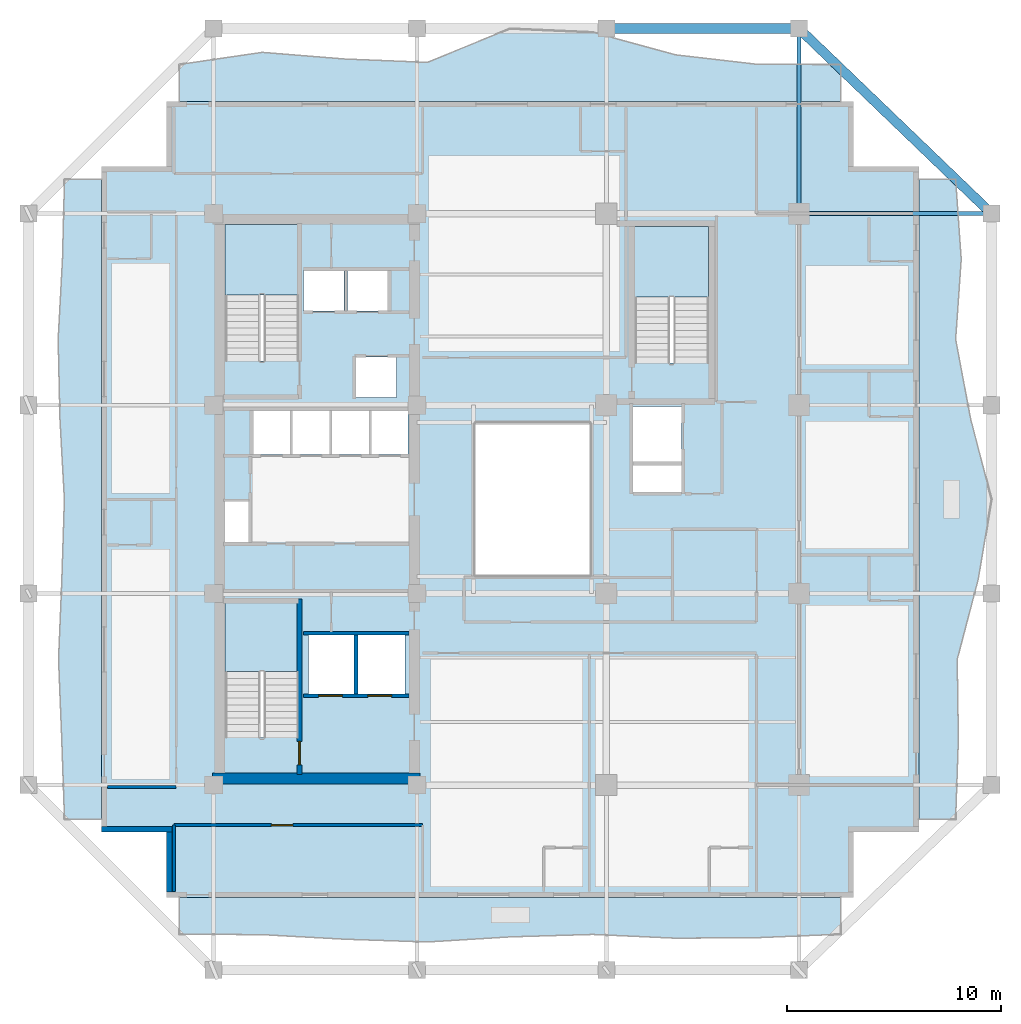
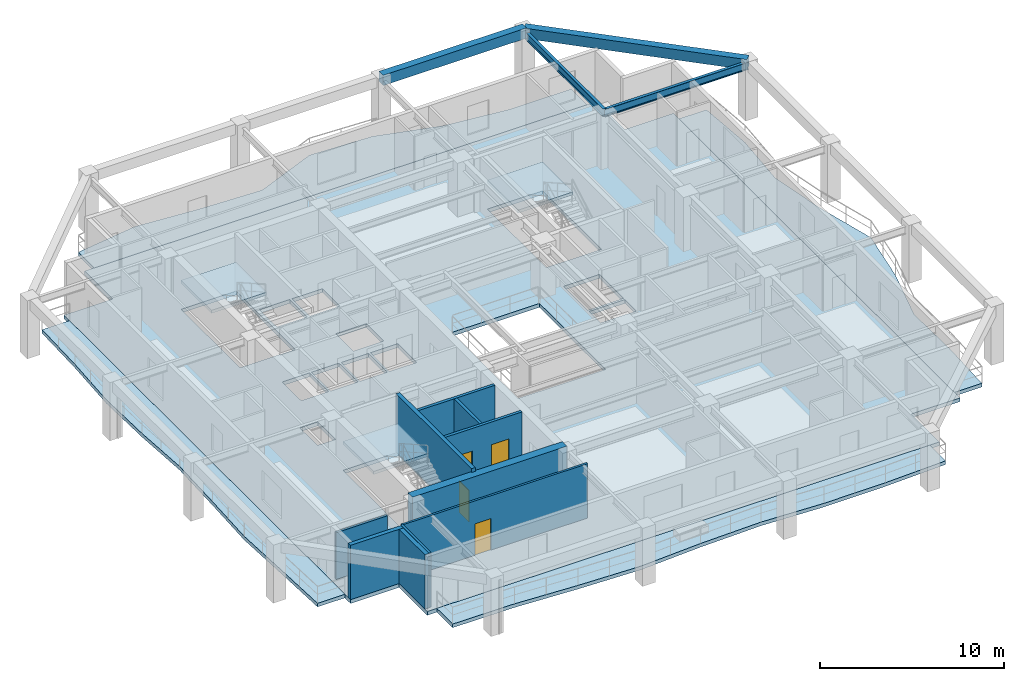
# One storey, part 2 of 11: 10 walls, 8 slabs, 4 beams, 4 doors, 4 openings, 3 elements without a shape of their own.
"""IFC4 building model written with IfcOpenShell, lengths in metres."""

from ifc_helpers import new_model, si_unit, direction, frame, frame_2d, origin, origin_2d, place, context, subcontext, project, spatial, polyline, rectangle, i_section, outline, extrude, material, layer, layer_set, material_profile, profile_set, type_object, element, fill, aggregate, save


model = new_model("IFC4")

# Units and contexts
model_context = context("Model", 3, precision=1e-05, world=origin(), true_north=direction((0.0, 1.0)))
body_context = subcontext(model_context, "Body", "Model", "MODEL_VIEW")
ifc_project = project(units=[si_unit("LENGTHUNIT", "METRE"), si_unit("AREAUNIT", "SQUARE_METRE"), si_unit("VOLUMEUNIT", "CUBIC_METRE"), si_unit("PLANEANGLEUNIT", "RADIAN"), si_unit("MASSUNIT", "GRAM", prefix="KILO")], contexts=[model_context])

# Site, building, storey
site_placement = place(None, origin())
site = spatial("IfcSite", under=ifc_project, at=site_placement, CompositionType="ELEMENT")
building_placement = place(site_placement, origin())
building = spatial("IfcBuilding", under=site, at=building_placement, Name="Kundavana Baori Tower", CompositionType="ELEMENT")
storey_placement = place(building_placement, frame((0.0, 0.0, 123.25)))
storey = spatial("IfcBuildingStorey", under=building, at=storey_placement, Name="L29", CompositionType="ELEMENT", Elevation=123.25)

# Beams
ifc_material_1 = material(Name="Concrete C50/60", Category="concrete")
ifc_material_profile_1 = material_profile(ifc_material_1, rectangle(XDim=0.449951171875, YDim=0.679931640625, at=origin_2d()), Name="RC BM 450x680")
ifc_profile_set_1 = profile_set([ifc_material_profile_1], Name="Concrete C50/60")
beam_type_1 = type_object("IfcBeamType", Name="BM-PF-680", PredefinedType="SPANDREL", material=ifc_profile_set_1)
beam_1_placement = place(storey_placement, frame((33.800048828125, 50.60009765625, 3.510009765625), z_axis=(1.0, 0.0, 0.0), x_axis=(0.0, 1.0, 0.0)))
element("IfcBeam", 1, at=beam_1_placement, inside=storey, type_object=beam_type_1, Name="L29 Perimeter Frame Ring Beam N3", PredefinedType="SPANDREL", context=body_context, shape_type="SweptSolid", body=[
    extrude(rectangle(XDim=0.449951171875, YDim=0.679931640625, at=origin_2d()), origin(), (0.0, 0.0, 1.0), 9.0),
])
beam_2_placement = place(storey_placement, frame((42.800048828125, 50.60009765625, 3.510009765625), z_axis=(0.720981122985, -0.692954702921, 0.0), x_axis=(0.692954702921, 0.720981122985, 0.0)))
element("IfcBeam", 2, at=beam_2_placement, inside=storey, type_object=beam_type_1, Name="L29 Notched Corner Perimeter Beam NE", PredefinedType="SPANDREL", context=body_context, shape_type="SweptSolid", body=[
    extrude(rectangle(XDim=0.449951171875, YDim=0.679931640625, at=origin_2d()), origin(), (0.0, 0.0, 1.0), 12.48291015625),
])
ifc_material_2 = material(Name="Structural Steel S355JR", Category="steel")
ifc_material_profile_2 = material_profile(ifc_material_2, i_section(OverallWidth=0.179931640625, OverallDepth=0.5, WebThickness=0.01025390625, FlangeThickness=0.01708984375, FilletRadius=0.01708984375, at=origin_2d()), Name="ISMB 500")
ifc_profile_set_2 = profile_set([ifc_material_profile_2], Name="Structural Steel S355JR")
beam_type_2 = type_object("IfcBeamType", Name="BM-TIE-500", PredefinedType="BEAM", material=ifc_profile_set_2)
beam_3_placement = place(storey_placement, frame((42.800048828125, 41.949951171875, 3.35009765625), z_axis=(0.0, 1.0, 0.0), x_axis=(-1.0, 0.0, 0.0)))
element("IfcBeam", 3, at=beam_3_placement, inside=storey, type_object=beam_type_2, Name="L29 North Radial Loggia Tie Beam N4", PredefinedType="BEAM", context=body_context, shape_type="SweptSolid", body=[
    extrude(i_section(OverallWidth=0.179931640625, OverallDepth=0.5, WebThickness=0.01025390625, FlangeThickness=0.01708984375, FilletRadius=0.01708984375, at=origin_2d()), origin(), (0.0, 0.0, 1.0), 8.650146484375),
])
beam_4_placement = place(storey_placement, frame((42.800048828125, 41.949951171875, 3.35009765625), z_axis=(1.0, 0.0, 0.0), x_axis=(0.0, 1.0, 0.0)))
element("IfcBeam", 4, at=beam_4_placement, inside=storey, type_object=beam_type_2, Name="L29 East Radial Loggia Tie Beam E4", PredefinedType="BEAM", context=body_context, shape_type="SweptSolid", body=[
    extrude(i_section(OverallWidth=0.179931640625, OverallDepth=0.5, WebThickness=0.01025390625, FlangeThickness=0.01708984375, FilletRadius=0.01708984375, at=origin_2d()), origin(), (0.0, 0.0, 1.0), 9.0),
])

# Slab
ifc_material_3 = material(Name="Concrete C40/50", Category="concrete")
ifc_layer_1 = layer(ifc_material_3, 0.25, Name="SLB-FLR-250")
ifc_layer_set_1 = layer_set([ifc_layer_1], Name="Concrete C40/50")
slab_type_1 = type_object("IfcSlabType", Name="SLB-FLR-250", PredefinedType="FLOOR", material=ifc_layer_set_1)
slab_1_placement = place(storey_placement, frame((0.0, 0.0, -0.25)))
element("IfcSlab", 5, at=slab_1_placement, inside=storey, type_object=slab_type_1, Name="L29 Structural Floor Slab", PredefinedType="FLOOR", context=body_context, shape_type="SweptSolid", body=[
    extrude(outline(polyline([(13.25, 10.0), (45.35009765625, 10.0), (45.35009765625, 13.050048828125), (48.39990234375, 13.050048828125), (48.39990234375, 44.14990234375), (45.35009765625, 44.14990234375), (45.35009765625, 47.199951171875), (13.25, 47.199951171875), (13.25, 44.14990234375), (10.199951171875, 44.14990234375), (10.199951171875, 13.050048828125), (13.25, 13.050048828125), (13.25, 10.0)]), holes=[polyline([(19.43994140625, 17.4619140625), (19.43994140625, 23.85009765625), (15.97998046875, 23.85009765625), (15.97998046875, 17.4619140625), (19.43994140625, 17.4619140625)]), polyline([(19.43994140625, 35.06201171875), (19.43994140625, 41.449951171875), (15.97998046875, 41.449951171875), (15.97998046875, 35.06201171875), (19.43994140625, 35.06201171875)]), polyline([(38.580078125, 34.9619140625), (38.580078125, 41.35009765625), (35.1201171875, 41.35009765625), (35.1201171875, 34.9619140625), (38.580078125, 34.9619140625)]), polyline([(17.300048828125, 30.699951171875), (19.02001953125, 30.699951171875), (19.02001953125, 32.75), (17.300048828125, 32.75), (17.300048828125, 30.699951171875)]), polyline([(19.139892578125, 30.699951171875), (20.860107421875, 30.699951171875), (20.860107421875, 32.75), (19.139892578125, 32.75), (19.139892578125, 30.699951171875)]), polyline([(20.97998046875, 30.699951171875), (22.699951171875, 30.699951171875), (22.699951171875, 32.75), (20.97998046875, 32.75), (20.97998046875, 30.699951171875)]), polyline([(22.820068359375, 30.699951171875), (24.5400390625, 30.699951171875), (24.5400390625, 32.75), (22.820068359375, 32.75), (22.820068359375, 30.699951171875)]), polyline([(19.64990234375, 37.39990234375), (21.550048828125, 37.39990234375), (21.550048828125, 39.300048828125), (19.64990234375, 39.300048828125), (19.64990234375, 37.39990234375)]), polyline([(21.699951171875, 37.39990234375), (23.60009765625, 37.39990234375), (23.60009765625, 39.300048828125), (21.699951171875, 39.300048828125), (21.699951171875, 37.39990234375)]), polyline([(22.10009765625, 33.35009765625), (24.0, 33.35009765625), (24.0, 35.25), (22.10009765625, 35.25), (22.10009765625, 33.35009765625)]), polyline([(19.8798828125, 19.5), (22.02001953125, 19.5), (22.02001953125, 22.25), (19.8798828125, 22.25), (19.8798828125, 19.5)]), polyline([(22.179931640625, 19.5), (24.3798828125, 19.5), (24.3798828125, 22.25), (22.179931640625, 22.25), (22.179931640625, 19.5)]), polyline([(35.050048828125, 30.35009765625), (37.300048828125, 30.35009765625), (37.300048828125, 32.949951171875), (35.050048828125, 32.949951171875), (35.050048828125, 30.35009765625)]), polyline([(15.949951171875, 26.60009765625), (17.080078125, 26.60009765625), (17.080078125, 28.5), (15.949951171875, 28.5), (15.949951171875, 26.60009765625)]), polyline([(35.050048828125, 28.949951171875), (37.300048828125, 28.949951171875), (37.300048828125, 30.199951171875), (35.050048828125, 30.199951171875), (35.050048828125, 28.949951171875)]), polyline([(27.60009765625, 25.0), (33.10009765625, 25.0), (33.10009765625, 32.199951171875), (27.60009765625, 32.199951171875), (27.60009765625, 25.0)])]), origin(), (0.0, 0.0, 1.0), 0.25),
])

# Stair, slab
ifc_material_4 = material(Name="Concrete C40/50", Category="concrete")
stair_type = type_object("IfcStairType", Name="STR-DOG-1650", PredefinedType="HALF_TURN_STAIR", material=ifc_material_4)
stair_1_placement = place(storey_placement, origin())
stair_1 = element("IfcStair", 6, at=stair_1_placement, inside=storey, type_object=stair_type, Name="L29 Protected Exit Stair ST1", PredefinedType="HALF_TURN_STAIR")
ifc_material_5 = material(Name="Concrete C40/50", Category="concrete")
ifc_layer_2 = layer(ifc_material_5, 0.199951171875, Name="SLB-LND-200")
ifc_layer_set_2 = layer_set([ifc_layer_2], Name="Concrete C40/50")
slab_type_2 = type_object("IfcSlabType", Name="SLB-LND-200", PredefinedType="LANDING", material=ifc_layer_set_2)
slab_2_placement = place(storey_placement, frame((0.0, 0.0, 1.72509765625)))
slab_2 = element("IfcSlab", 7, at=slab_2_placement, type_object=slab_type_2, Name="ST1 landing 1", PredefinedType="LANDING", context=body_context, shape_type="SweptSolid", body=[
    extrude(outline(polyline([(19.43994140625, 20.550048828125), (19.43994140625, 23.85009765625), (15.97998046875, 23.85009765625), (15.97998046875, 20.550048828125), (19.43994140625, 20.550048828125)])), origin(), (0.0, 0.0, 1.0), 0.199951171875),
])
aggregate(stair_1, [slab_2])

stair_2_placement = place(storey_placement, origin())
stair_2 = element("IfcStair", 8, at=stair_2_placement, inside=storey, type_object=stair_type, Name="L29 Protected Exit Stair ST2", PredefinedType="HALF_TURN_STAIR")
slab_3_placement = place(storey_placement, frame((0.0, 0.0, 1.72509765625)))
slab_3 = element("IfcSlab", 9, at=slab_3_placement, type_object=slab_type_2, Name="ST2 landing 1", PredefinedType="LANDING", context=body_context, shape_type="SweptSolid", body=[
    extrude(outline(polyline([(19.43994140625, 38.14990234375), (19.43994140625, 41.449951171875), (15.97998046875, 41.449951171875), (15.97998046875, 38.14990234375), (19.43994140625, 38.14990234375)])), origin(), (0.0, 0.0, 1.0), 0.199951171875),
])
aggregate(stair_2, [slab_3])

stair_3_placement = place(storey_placement, origin())
stair_3 = element("IfcStair", 10, at=stair_3_placement, inside=storey, type_object=stair_type, Name="L29 Protected Exit Stair ST3", PredefinedType="HALF_TURN_STAIR")
slab_4_placement = place(storey_placement, frame((0.0, 0.0, 1.72509765625)))
slab_4 = element("IfcSlab", 11, at=slab_4_placement, type_object=slab_type_2, Name="ST3 landing 1", PredefinedType="LANDING", context=body_context, shape_type="SweptSolid", body=[
    extrude(outline(polyline([(38.580078125, 38.050048828125), (38.580078125, 41.35009765625), (35.1201171875, 41.35009765625), (35.1201171875, 38.050048828125), (38.580078125, 38.050048828125)])), origin(), (0.0, 0.0, 1.0), 0.199951171875),
])
aggregate(stair_3, [slab_4])

# Slabs
ifc_material_6 = material(Name="Concrete C40/50", Category="concrete")
ifc_layer_3 = layer(ifc_material_6, 0.239990234375, Name="SLB-LOG-240")
ifc_layer_set_3 = layer_set([ifc_layer_3], Name="Concrete C40/50")
slab_type_3 = type_object("IfcSlabType", Name="SLB-LOG-240", PredefinedType="FLOOR", material=ifc_layer_set_3)
slab_5_placement = place(storey_placement, frame((0.0, 0.0, -0.239990234375)))
element("IfcSlab", 12, at=slab_5_placement, inside=storey, type_object=slab_type_3, Name="L29 Planted Loggia Balcony Slab S", PredefinedType="FLOOR", context=body_context, shape_type="SweptSolid", body=[
    extrude(outline(polyline([(13.85009765625, 10.0), (44.75, 10.0), (44.75, 8.280029296875), (40.886962890625, 8.1201171875), (37.02490234375, 8.095947265625), (33.1630859375, 8.27001953125), (29.300048828125, 8.156005859375), (25.43798828125, 7.9169921875), (21.574951171875, 8.047119140625), (17.7119140625, 8.260986328125), (13.85009765625, 8.280029296875), (13.85009765625, 10.0)])), origin(), (0.0, 0.0, 1.0), 0.239990234375),
])
slab_6_placement = place(storey_placement, frame((0.0, 0.0, -0.239990234375)))
element("IfcSlab", 13, at=slab_6_placement, inside=storey, type_object=slab_type_3, Name="L29 Planted Loggia Balcony Slab E", PredefinedType="FLOOR", context=body_context, shape_type="SweptSolid", body=[
    extrude(outline(polyline([(48.39990234375, 13.64990234375), (48.39990234375, 43.550048828125), (50.1201171875, 43.550048828125), (50.382080078125, 39.81201171875), (50.12109375, 36.074951171875), (50.825927734375, 32.3369140625), (51.800048828125, 28.60009765625), (51.176025390625, 24.862060546875), (50.195068359375, 21.125), (50.248046875, 17.386962890625), (50.1201171875, 13.64990234375), (48.39990234375, 13.64990234375)])), origin(), (0.0, 0.0, 1.0), 0.239990234375),
])
slab_7_placement = place(storey_placement, frame((0.0, 0.0, -0.239990234375)))
element("IfcSlab", 14, at=slab_7_placement, inside=storey, type_object=slab_type_3, Name="L29 Planted Loggia Balcony Slab N", PredefinedType="FLOOR", context=body_context, shape_type="SweptSolid", body=[
    extrude(outline(polyline([(44.75, 47.199951171875), (13.85009765625, 47.199951171875), (13.85009765625, 48.919921875), (17.7119140625, 49.488037109375), (21.574951171875, 49.177001953125), (25.43798828125, 49.02001953125), (29.300048828125, 50.60009765625), (33.1630859375, 50.429931640625), (37.02490234375, 49.373046875), (40.886962890625, 48.924072265625), (44.75, 48.919921875), (44.75, 47.199951171875)])), origin(), (0.0, 0.0, 1.0), 0.239990234375),
])
slab_8_placement = place(storey_placement, frame((0.0, 0.0, -0.239990234375)))
element("IfcSlab", 15, at=slab_8_placement, inside=storey, type_object=slab_type_3, Name="L29 Planted Loggia Balcony Slab W", PredefinedType="FLOOR", context=body_context, shape_type="SweptSolid", body=[
    extrude(outline(polyline([(10.199951171875, 43.550048828125), (10.199951171875, 13.64990234375), (8.47998046875, 13.64990234375), (8.35107421875, 17.386962890625), (8.201904296875, 21.125), (8.35595703125, 24.862060546875), (8.47412109375, 28.60009765625), (8.26806640625, 32.3369140625), (8.18310546875, 36.074951171875), (8.385009765625, 39.81201171875), (8.47998046875, 43.550048828125), (10.199951171875, 43.550048828125)])), origin(), (0.0, 0.0, 1.0), 0.239990234375),
])

# Wall, opening, door
ifc_material_7 = material(Name="Concrete C50/60", Category="concrete")
ifc_layer_4 = layer(ifc_material_7, 0.39990234375, Name="WL-CORE-400")
ifc_layer_set_4 = layer_set([ifc_layer_4], Name="Concrete C50/60")
wall_type_1 = type_object("IfcWallType", Name="WL-CORE-400", PredefinedType="SHEAR", material=ifc_layer_set_4)
wall_1_placement = place(storey_placement, frame((19.4599609375, 15.739990234375, 0.0), z_axis=(0.0, 0.0, 1.0), x_axis=(0.0, 1.0, 0.0)))
wall_1 = element("IfcWall", 16, at=wall_1_placement, inside=storey, type_object=wall_type_1, Name="WL-L29-ST1-E", PredefinedType="SHEAR", context=body_context, shape_type="SweptSolid", body=[
    extrude(rectangle(XDim=8.199951171875, YDim=0.239990234375, at=frame_2d((4.10009765625, 0.0))), origin(), (0.0, 0.0, 1.0), 3.85009765625),
])
opening_1_placement = place(wall_1_placement, frame((0.449951171875, 0.0, 0.0)))
opening_1 = element("IfcOpeningElement", 17, at=opening_1_placement, cuts=wall_1, Name="Opening FD-110", PredefinedType="OPENING", context=body_context, shape_type="SweptSolid", body=[
    extrude(rectangle(XDim=1.10009765625, YDim=2.10009765625, at=frame_2d((0.550048828125, 1.050048828125))), frame((0.0, 0.1298828125, 0.0), z_axis=(0.0, -1.0, 0.0), x_axis=(1.0, 0.0, 0.0)), (0.0, 0.0, 1.0), 0.260009765625),
])
ifc_material_8 = material(Name="Galvanised Steel Fire-Rated Door Leaf", Category="steel")
door_type_1 = type_object("IfcDoorType", Name="DR-FD120-1100", OperationType="NOTDEFINED", PredefinedType="DOOR", material=ifc_material_8)
door_1_placement = place(opening_1_placement, origin())
door_1 = element("IfcDoor", 18, at=door_1_placement, inside=storey, type_object=door_type_1, Name="DR-L29-ST1", OperationType="SINGLE_SWING_LEFT", OverallHeight=2.10009765625, OverallWidth=1.10009765625, PredefinedType="DOOR", context=body_context, shape_type="SweptSolid", body=[
    extrude(rectangle(XDim=1.10009765625, YDim=2.10009765625, at=frame_2d((0.550048828125, 1.050048828125))), frame((0.0, 0.02490234375, 0.0), z_axis=(0.0, -1.0, 0.0), x_axis=(1.0, 0.0, 0.0)), (0.0, 0.0, 1.0), 0.050048828125),
])
fill(opening_1, door_1)

# Walls
ifc_material_9 = material(Name="Concrete C50/60", Category="concrete")
ifc_layer_5 = layer(ifc_material_9, 0.5, Name="WL-CORE-500")
ifc_layer_set_5 = layer_set([ifc_layer_5], Name="Concrete C50/60")
wall_type_2 = type_object("IfcWallType", Name="WL-CORE-500", PredefinedType="SHEAR", material=ifc_layer_set_5)
wall_2_placement = place(storey_placement, frame((15.39990234375, 15.56005859375, 0.0), z_axis=(0.0, 0.0, 1.0), x_axis=(1.0, 0.0, 0.0)))
element("IfcWall", 19, at=wall_2_placement, inside=storey, type_object=wall_type_2, Name="L29 Offset Core South Shear Wall", PredefinedType="SHEAR", context=body_context, shape_type="SweptSolid", body=[
    extrude(rectangle(XDim=9.68017578125, YDim=0.5, at=frame_2d((4.840087890625, 0.0))), origin(), (0.0, 0.0, 1.0), 3.60009765625),
])
ifc_material_10 = material(Name="Kiln-Fired Terracotta Brick-Slip Masonry on Concrete C40/50", Category="masonry")
ifc_layer_6 = layer(ifc_material_10, 0.260009765625, Name="WL-EXT-BRK-260")
ifc_layer_set_6 = layer_set([ifc_layer_6], Name="Kiln-Fired Terracotta Brick-Slip Masonry on Concrete C40/50")
wall_type_3 = type_object("IfcWallType", Name="WL-EXT-BRK-260", PredefinedType="SOLIDWALL", material=ifc_layer_set_6)
wall_3_placement = place(storey_placement, frame((10.199951171875, 13.179931640625, 0.0), z_axis=(0.0, 0.0, 1.0), x_axis=(1.0, 0.0, 0.0)))
element("IfcWall", 20, at=wall_3_placement, inside=storey, type_object=wall_type_3, Name="L29 Exterior Insulated Facade Wall 11", PredefinedType="SOLIDWALL", context=body_context, shape_type="SweptSolid", body=[
    extrude(rectangle(XDim=3.31005859375, YDim=0.260009765625, at=frame_2d((1.655029296875, 0.0))), origin(), (0.0, 0.0, 1.0), 3.60009765625),
])
wall_4_placement = place(storey_placement, frame((13.3798828125, 13.050048828125, 0.0), z_axis=(0.0, 0.0, 1.0), x_axis=(0.0, -1.0, 0.0)))
element("IfcWall", 21, at=wall_4_placement, inside=storey, type_object=wall_type_3, Name="L29 Exterior Insulated Facade Wall 12", PredefinedType="SOLIDWALL", context=body_context, shape_type="SweptSolid", body=[
    extrude(rectangle(XDim=2.7900390625, YDim=0.260009765625, at=frame_2d((1.39501953125, 0.0))), origin(), (0.0, 0.0, 1.0), 3.60009765625),
])
ifc_material_11 = material(Name="Acoustic Gypsum Plasterboard on Galvanised Steel Studs", Category="steel")
ifc_layer_7 = layer(ifc_material_11, 0.135009765625, Name="WL-PART-135")
ifc_layer_set_7 = layer_set([ifc_layer_7], Name="Acoustic Gypsum Plasterboard on Galvanised Steel Studs")
wall_type_4 = type_object("IfcWallType", Name="WL-PART-135", PredefinedType="PARTITIONING", material=ifc_layer_set_7)
wall_5_placement = place(storey_placement, frame((10.47998046875, 15.159912109375, 0.0), z_axis=(0.0, 0.0, 1.0), x_axis=(1.0, 0.0, 0.0)))
element("IfcWall", 22, at=wall_5_placement, inside=storey, type_object=wall_type_4, Name="WL-L29-HWS", PredefinedType="PARTITIONING", context=body_context, shape_type="SweptSolid", body=[
    extrude(rectangle(XDim=3.219970703125, YDim=0.135009765625, at=frame_2d((1.60986328125, 0.0))), origin(), (0.0, 0.0, 1.0), 3.10009765625),
])

# Wall, opening, door
wall_6_placement = place(storey_placement, frame((13.590087890625, 13.3798828125, 0.0), z_axis=(0.0, 0.0, 1.0), x_axis=(1.0, 0.0, 0.0)))
wall_6 = element("IfcWall", 23, at=wall_6_placement, inside=storey, type_object=wall_type_4, Name="WL-L29-HSC", PredefinedType="PARTITIONING", context=body_context, shape_type="SweptSolid", body=[
    extrude(rectangle(XDim=11.6298828125, YDim=0.135009765625, at=frame_2d((5.81494140625, 0.0))), origin(), (0.0, 0.0, 1.0), 3.60009765625),
])
opening_2_placement = place(wall_6_placement, frame((4.56005859375, 0.0, 0.0)))
opening_2 = element("IfcOpeningElement", 24, at=opening_2_placement, cuts=wall_6, Name="Opening ID-100", PredefinedType="OPENING", context=body_context, shape_type="SweptSolid", body=[
    extrude(rectangle(XDim=1.0, YDim=2.080078125, at=frame_2d((0.5, 1.0400390625))), frame((0.0, 0.07763671875, 0.0), z_axis=(0.0, -1.0, 0.0), x_axis=(1.0, 0.0, 0.0)), (0.0, 0.0, 1.0), 0.155029296875),
])
ifc_material_12 = material(Name="Engineered Teak Solid-Core Timber Veneer", Category="wood")
door_type_2 = type_object("IfcDoorType", Name="DR-INT-1000", OperationType="NOTDEFINED", PredefinedType="DOOR", material=ifc_material_12)
door_2_placement = place(opening_2_placement, frame((1.0, 0.0, 0.0), z_axis=(0.0, 0.0, 1.0), x_axis=(-1.0, 0.0, 0.0)))
door_2 = element("IfcDoor", 25, at=door_2_placement, inside=storey, type_object=door_type_2, Name="DR-L29-HMSW", OperationType="SINGLE_SWING_LEFT", OverallHeight=2.080078125, OverallWidth=1.0, PredefinedType="DOOR", context=body_context, shape_type="SweptSolid", body=[
    extrude(rectangle(XDim=1.0, YDim=2.080078125, at=frame_2d((0.5, 1.0400390625))), frame((0.0, 0.02490234375, 0.0), z_axis=(0.0, -1.0, 0.0), x_axis=(1.0, 0.0, 0.0)), (0.0, 0.0, 1.0), 0.050048828125),
])
fill(opening_2, door_2)

# Wall
wall_7_placement = place(storey_placement, frame((13.590087890625, 10.280029296875, 0.0), z_axis=(0.0, 0.0, 1.0), x_axis=(0.0, 1.0, 0.0)))
element("IfcWall", 26, at=wall_7_placement, inside=storey, type_object=wall_type_4, Name="WL-L29-HSCW", PredefinedType="PARTITIONING", context=body_context, shape_type="SweptSolid", body=[
    extrude(rectangle(XDim=3.099853515625, YDim=0.135009765625, at=frame_2d((1.5498046875, 0.0))), origin(), (0.0, 0.0, 1.0), 3.60009765625),
])

# Wall, openings, doors
ifc_material_13 = material(Name="Autoclaved Aerated Concrete Blockwork Masonry", Category="masonry")
ifc_layer_8 = layer(ifc_material_13, 0.179931640625, Name="WL-SHAFT-180")
ifc_layer_set_8 = layer_set([ifc_layer_8], Name="Autoclaved Aerated Concrete Blockwork Masonry")
wall_type_5 = type_object("IfcWallType", Name="WL-SHAFT-180", PredefinedType="SOLIDWALL", material=ifc_layer_set_8)
wall_8_placement = place(storey_placement, frame((19.639892578125, 19.419921875, 0.0), z_axis=(0.0, 0.0, 1.0), x_axis=(1.0, 0.0, 0.0)))
wall_8 = element("IfcWall", 27, at=wall_8_placement, inside=storey, type_object=wall_type_5, Name="WL-L29-FFL-S", PredefinedType="SOLIDWALL", context=body_context, shape_type="SweptSolid", body=[
    extrude(rectangle(XDim=4.940185546875, YDim=0.179931640625, at=frame_2d((2.47021484375, 0.0))), origin(), (0.0, 0.0, 1.0), 3.60009765625),
])
opening_3_placement = place(wall_8_placement, frame((0.719970703125, 0.0, 0.0)))
opening_3 = element("IfcOpeningElement", 28, at=opening_3_placement, cuts=wall_8, Name="Opening LD-110", PredefinedType="OPENING", context=body_context, shape_type="SweptSolid", body=[
    extrude(rectangle(XDim=1.10009765625, YDim=2.10009765625, at=frame_2d((0.550048828125, 1.050048828125))), frame((0.0, 0.10009765625, 0.0), z_axis=(0.0, -1.0, 0.0), x_axis=(1.0, 0.0, 0.0)), (0.0, 0.0, 1.0), 0.199951171875),
])
opening_4_placement = place(wall_8_placement, frame((3.02001953125, 0.0, 0.0)))
opening_4 = element("IfcOpeningElement", 29, at=opening_4_placement, cuts=wall_8, Name="Opening LD-110", PredefinedType="OPENING", context=body_context, shape_type="SweptSolid", body=[
    extrude(rectangle(XDim=1.10009765625, YDim=2.10009765625, at=frame_2d((0.550048828125, 1.050048828125))), frame((0.0, 0.10009765625, 0.0), z_axis=(0.0, -1.0, 0.0), x_axis=(1.0, 0.0, 0.0)), (0.0, 0.0, 1.0), 0.199951171875),
])
ifc_material_14 = material(Name="Galvanised Steel Fire-Rated Door Leaf", Category="steel")
door_type_3 = type_object("IfcDoorType", Name="DR-SLIDE-LD1100", OperationType="NOTDEFINED", PredefinedType="DOOR", material=ifc_material_14)
door_3_placement = place(opening_3_placement, origin())
door_3 = element("IfcDoor", 30, at=door_3_placement, inside=storey, type_object=door_type_3, Name="DR-L29-LD-FFL-1", OperationType="DOUBLE_DOOR_SLIDING", OverallHeight=2.10009765625, OverallWidth=1.10009765625, PredefinedType="DOOR", context=body_context, shape_type="SweptSolid", body=[
    extrude(rectangle(XDim=1.10009765625, YDim=2.10009765625, at=frame_2d((0.550048828125, 1.050048828125))), frame((0.0, 0.02490234375, 0.0), z_axis=(0.0, -1.0, 0.0), x_axis=(1.0, 0.0, 0.0)), (0.0, 0.0, 1.0), 0.050048828125),
])
fill(opening_3, door_3)
door_4_placement = place(opening_4_placement, origin())
door_4 = element("IfcDoor", 31, at=door_4_placement, inside=storey, type_object=door_type_3, Name="DR-L29-LD-FFL-2", OperationType="DOUBLE_DOOR_SLIDING", OverallHeight=2.10009765625, OverallWidth=1.10009765625, PredefinedType="DOOR", context=body_context, shape_type="SweptSolid", body=[
    extrude(rectangle(XDim=1.10009765625, YDim=2.10009765625, at=frame_2d((0.550048828125, 1.050048828125))), frame((0.0, 0.02490234375, 0.0), z_axis=(0.0, -1.0, 0.0), x_axis=(1.0, 0.0, 0.0)), (0.0, 0.0, 1.0), 0.050048828125),
])
fill(opening_4, door_4)

# Walls
wall_9_placement = place(storey_placement, frame((22.10009765625, 19.510009765625, 0.0), z_axis=(0.0, 0.0, 1.0), x_axis=(0.0, 1.0, 0.0)))
element("IfcWall", 32, at=wall_9_placement, inside=storey, type_object=wall_type_5, Name="WL-L29-FFL-MID", PredefinedType="SOLIDWALL", context=body_context, shape_type="SweptSolid", body=[
    extrude(rectangle(XDim=2.739990234375, YDim=0.179931640625, at=frame_2d((1.3701171875, 0.0))), origin(), (0.0, 0.0, 1.0), 3.60009765625),
])
wall_10_placement = place(storey_placement, frame((19.639892578125, 22.340087890625, 0.0), z_axis=(0.0, 0.0, 1.0), x_axis=(1.0, 0.0, 0.0)))
element("IfcWall", 33, at=wall_10_placement, inside=storey, type_object=wall_type_5, Name="WL-L29-FFL-N", PredefinedType="SOLIDWALL", context=body_context, shape_type="SweptSolid", body=[
    extrude(rectangle(XDim=4.940185546875, YDim=0.179931640625, at=frame_2d((2.47021484375, 0.0))), origin(), (0.0, 0.0, 1.0), 3.60009765625),
])

save(model, "model.ifc")
